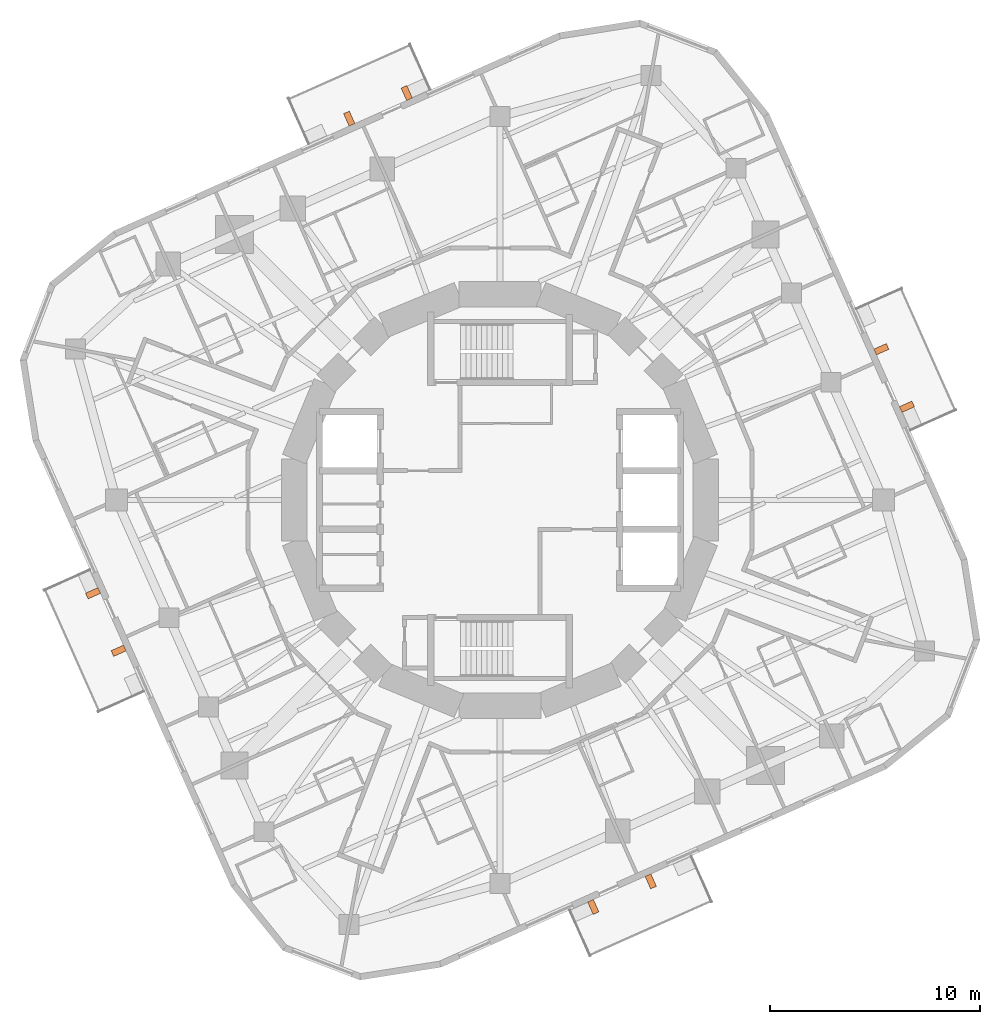
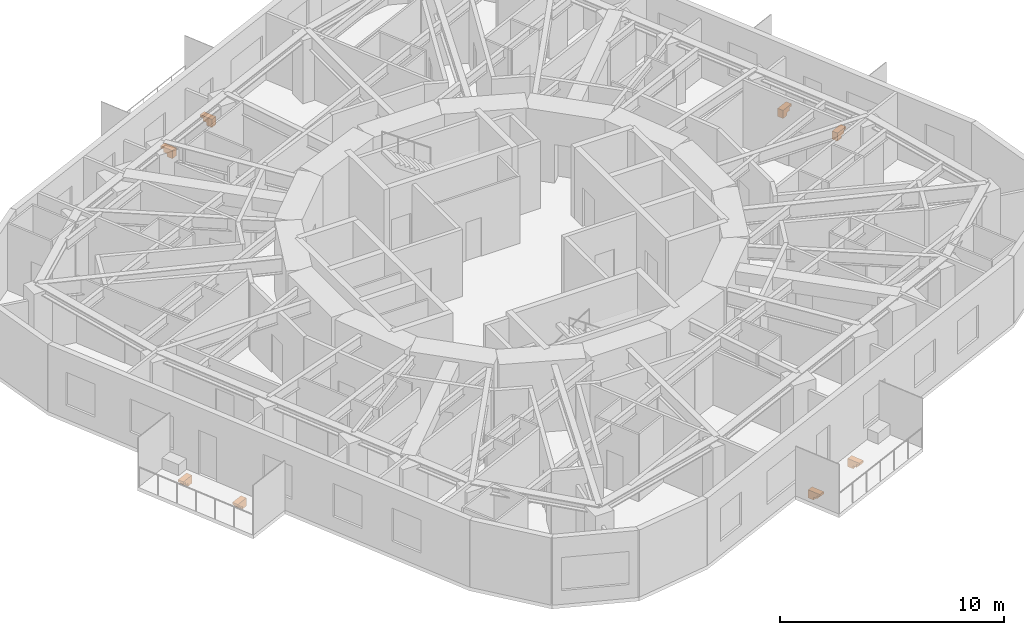
# One storey, part 12 of 12: 8 proxies.
"""IFC4 building model written with IfcOpenShell, lengths in metres."""

import ifcopenshell
import ifcopenshell.guid

model = None  # the IFC model being written
_history = None  # IfcOwnerHistory: only IFC2X3 demands one
_inside = {}  # id of a spatial element -> (the spatial element, [elements in it])
_under = {}  # id of a project, library or spatial element -> (it, [spatial elements below it])
_declared = {}  # id of a project -> (the project, [libraries it declares])
_typed = {}  # id of a type object -> (the type object, [elements of that type])
_made_of = {}  # id of a material, layer set ... -> (it, [elements and type objects made of it])


def new_model(schema):
    """Start an empty IFC model of exactly this schema.

    Asked for "IFC4X3", IfcOpenShell would pick the latest addendum, in which some entities
    have other attributes; the version numbers below select the first issue.
    IFC2X3 requires an IfcOwnerHistory on every rooted entity: one is made here for all.
    """
    global model, _history
    if schema == "IFC4X3":
        model = ifcopenshell.file(schema_version=(4, 3, 0, 0))
    else:
        model = ifcopenshell.file(schema=schema)
    _inside.clear()
    _under.clear()
    _declared.clear()
    _typed.clear()
    _made_of.clear()
    _history = None
    if model.schema == "IFC2X3":
        org = make("IfcOrganization", Name="unknown")
        user = make(
            "IfcPersonAndOrganization",
            ThePerson=make("IfcPerson", FamilyName="unknown"),
            TheOrganization=org,
        )
        app = make(
            "IfcApplication",
            ApplicationDeveloper=org,
            Version="unknown",
            ApplicationFullName="unknown",
            ApplicationIdentifier="unknown",
        )
        _history = make(
            "IfcOwnerHistory",
            OwningUser=user,
            OwningApplication=app,
            ChangeAction="ADDED",
            CreationDate=0,
        )
    return model


def make(cls, **values):
    """One entity of the class cls with the attributes given. An attribute that is None is left unset."""
    return model.create_entity(
        cls, **{name: value for name, value in values.items() if value is not None}
    )


def rooted(cls, **values):
    """An entity with a GlobalId (a new one), such as an element, a storey or a relation."""
    return make(cls, GlobalId=ifcopenshell.guid.new(), OwnerHistory=_history, **values)


def si_unit(unit_type, name, prefix=None):
    """IfcSIUnit, for example si_unit("LENGTHUNIT", "METRE", prefix="MILLI")."""
    return make("IfcSIUnit", UnitType=unit_type, Prefix=prefix, Name=name)


def assignment(units):
    """IfcUnitAssignment: the units of a project."""
    return None if units is None else make("IfcUnitAssignment", Units=units)


def point(xyz):
    """IfcCartesianPoint."""
    return None if xyz is None else make("IfcCartesianPoint", Coordinates=xyz)


def direction(xyz):
    """IfcDirection."""
    return None if xyz is None else make("IfcDirection", DirectionRatios=xyz)


def frame(location, z_axis=None, x_axis=None):
    """IfcAxis2Placement3D, a coordinate frame: its origin and axes. An axis left out is left unset."""
    return make(
        "IfcAxis2Placement3D",
        Location=point(location),
        Axis=direction(z_axis),
        RefDirection=direction(x_axis),
    )


def origin():
    """The frame at (0, 0, 0) with its axes left unset."""
    return frame((0.0, 0.0, 0.0))


def place(relative_to, where):
    """IfcLocalPlacement: puts the frame where relative to a parent placement (None: the world)."""
    return make(
        "IfcLocalPlacement", PlacementRelTo=relative_to, RelativePlacement=where
    )


def context(
    kind, dimensions, precision=None, world=None, true_north=None, identifier=None
):
    """IfcGeometricRepresentationContext, for example the 3D "Model" context."""
    return make(
        "IfcGeometricRepresentationContext",
        ContextIdentifier=identifier,
        ContextType=kind,
        CoordinateSpaceDimension=dimensions,
        Precision=precision,
        WorldCoordinateSystem=world,
        TrueNorth=true_north,
    )


def subcontext(parent, identifier, kind, view, scale=None):
    """IfcGeometricRepresentationSubContext, for example "Body" below "Model"."""
    return make(
        "IfcGeometricRepresentationSubContext",
        ContextIdentifier=identifier,
        ContextType=kind,
        ParentContext=parent,
        TargetScale=scale,
        TargetView=view,
    )


def project(units=None, contexts=None):
    """IfcProject with its units and contexts."""
    return rooted(
        "IfcProject",
        Name="project",
        RepresentationContexts=contexts,
        UnitsInContext=assignment(units),
    )


def spatial(cls, under=None, at=None, **own):
    """A site, building, storey or space (cls), placed at a placement, below another one or the project."""
    s = rooted(cls, ObjectPlacement=at, **own)
    if under is not None:
        _under.setdefault(under.id(), (under, []))[1].append(s)
    return s


def polyline(points):
    """IfcPolyline through the points."""
    return make("IfcPolyline", Points=[point(p) for p in points])


def outline(outer, holes=None, kind="AREA"):
    """IfcArbitraryClosedProfileDef: a profile drawn as a closed curve; with holes, ...WithVoids."""
    if holes is None:
        return make("IfcArbitraryClosedProfileDef", ProfileType=kind, OuterCurve=outer)
    return make(
        "IfcArbitraryProfileDefWithVoids",
        ProfileType=kind,
        OuterCurve=outer,
        InnerCurves=holes,
    )


def extrude(swept, where, along, depth):
    """IfcExtrudedAreaSolid: the profile swept, set in the frame where, extruded along a direction by depth."""
    return make(
        "IfcExtrudedAreaSolid",
        SweptArea=swept,
        Position=where,
        ExtrudedDirection=direction(along),
        Depth=depth,
    )


def shape(context_of_items, identifier, shape_type, items):
    """IfcShapeRepresentation: the items that make up one representation, for example the "Body"."""
    return make(
        "IfcShapeRepresentation",
        ContextOfItems=context_of_items,
        RepresentationIdentifier=identifier,
        RepresentationType=shape_type,
        Items=items,
    )


def material(Name=None, Category=None):
    """IfcMaterial."""
    return make("IfcMaterial", Name=Name, Category=Category)


def made_of(thing, what):
    """Note that an element or type object is made of a material, layer set ...; save() writes the relation."""
    if what is not None:
        _made_of.setdefault(what.id(), (what, []))[1].append(thing)
    return thing


def type_object(cls, material=None, **own):
    """A type object (cls), such as IfcWallType, which elements share."""
    return made_of(rooted(cls, **own), material)


def element(
    cls,
    number,
    at=None,
    inside=None,
    cuts=None,
    type_object=None,
    material=None,
    context=None,
    identifier="Body",
    shape_type=None,
    held_by="IfcProductDefinitionShape",
    body=None,
    shapes=None,
    **own,
):
    """One element of the class cls, such as IfcWall. Its Tag is "e" and its number.

    at: its placement. inside: the storey or other place that contains it. cuts: it is an
    opening in that element (IfcRelVoidsElement). A single representation is given by context,
    identifier, shape_type and body (its items); several are given by shapes. held_by: the class
    of the entity that holds the representations. save() writes the other relations.
    """
    e = rooted(cls, Tag="e%d" % number, ObjectPlacement=at, **own)
    if body is not None:
        shapes = [shape(context, identifier, shape_type, body)]
    if shapes is not None:
        e.Representation = make(held_by, Representations=shapes)
    if inside is not None:
        _inside.setdefault(inside.id(), (inside, []))[1].append(e)
    if cuts is not None:
        rooted(
            "IfcRelVoidsElement", RelatingBuildingElement=cuts, RelatedOpeningElement=e
        )
    if type_object is not None:
        _typed.setdefault(type_object.id(), (type_object, []))[1].append(e)
    return made_of(e, material)


def aggregate(whole, parts):
    """IfcRelAggregates: a whole, such as a stair, and the parts it consists of."""
    return rooted("IfcRelAggregates", RelatingObject=whole, RelatedObjects=parts)


def save(model, path):
    """Write the relations noted so far, then the file.

    IfcRelAggregates (storeys below a building ...), IfcRelContainedInSpatialStructure (elements
    in a storey), IfcRelDefinesByType, IfcRelAssociatesMaterial and IfcRelDeclares: one each for
    every whole, place, type object, material and project.
    """
    for whole, parts in _under.values():
        aggregate(whole, parts)
    for where, things in _inside.values():
        rooted(
            "IfcRelContainedInSpatialStructure",
            RelatedElements=things,
            RelatingStructure=where,
        )
    for kind, things in _typed.values():
        rooted("IfcRelDefinesByType", RelatedObjects=things, RelatingType=kind)
    for what, things in _made_of.values():
        rooted("IfcRelAssociatesMaterial", RelatedObjects=things, RelatingMaterial=what)
    for by, libraries in _declared.values():
        rooted("IfcRelDeclares", RelatingContext=by, RelatedDefinitions=libraries)
    model.write(path)


model = new_model("IFC4")

# Units and contexts
model_context = context("Model", 3, precision=1e-05, world=origin(), true_north=direction((0.0, 1.0)))
body_context = subcontext(model_context, "Body", "Model", "MODEL_VIEW")
ifc_project = project(units=[si_unit("LENGTHUNIT", "METRE"), si_unit("AREAUNIT", "SQUARE_METRE"), si_unit("VOLUMEUNIT", "CUBIC_METRE"), si_unit("PLANEANGLEUNIT", "RADIAN"), si_unit("MASSUNIT", "GRAM", prefix="KILO")], contexts=[model_context])

# Site, building, storey
site_placement = place(None, origin())
site = spatial("IfcSite", under=ifc_project, at=site_placement, CompositionType="ELEMENT")
building_placement = place(site_placement, origin())
building = spatial("IfcBuilding", under=site, at=building_placement, Name="Nakasero Lantern House", CompositionType="ELEMENT")
storey_placement = place(building_placement, frame((0.0, 0.0, 213.25)))
storey = spatial("IfcBuildingStorey", under=building, at=storey_placement, Name="L52", CompositionType="ELEMENT", Elevation=213.25)

# Proxies
ifc_material = material(Name="Concrete C40/50 precast", Category="concrete")
building_element_proxy_type = type_object("IfcBuildingElementProxyType", Name="Balcony bracket 300", PredefinedType="USERDEFINED", material=ifc_material)
for number, where, z_axis, x_axis, name in (
    (1, (19.097412109375, 4.311767578125, -0.199951171875), (0.0, 0.0, 1.0), (0.913545458, 0.406736643, 0.0), "Balcony bracket L52 0A"),
    (2, (17.877197265625, 7.052490234375, -0.199951171875), (0.0, 0.0, 1.0), (0.913545458, 0.406736643, 0.0), "Balcony bracket L52 0B"),
    (3, (-4.311767578125, 19.097412109375, -0.199951171875), (0.0, 0.0, 1.0), (-0.406736643, 0.913545458, 0.0), "Balcony bracket L52 1A"),
    (4, (-7.052490234375, 17.877197265625, -0.199951171875), (0.0, 0.0, 1.0), (-0.406736643, 0.913545458, 0.0), "Balcony bracket L52 1B"),
    (5, (-19.097412109375, -4.311767578125, -0.199951171875), (0.0, 0.0, 1.0), (-0.913545458, -0.406736643, 0.0), "Balcony bracket L52 2A"),
    (6, (-17.877197265625, -7.052490234375, -0.199951171875), (0.0, 0.0, 1.0), (-0.913545458, -0.406736643, 0.0), "Balcony bracket L52 2B"),
    (7, (4.311767578125, -19.097412109375, -0.199951171875), (0.0, 0.0, 1.0), (0.406736643, -0.913545458, 0.0), "Balcony bracket L52 3A"),
    (8, (7.052490234375, -17.877197265625, -0.199951171875), (0.0, 0.0, 1.0), (0.406736643, -0.913545458, 0.0), "Balcony bracket L52 3B"),
):
    element("IfcBuildingElementProxy", number, at=place(storey_placement, frame(where, z_axis=z_axis, x_axis=x_axis)), inside=storey, type_object=building_element_proxy_type, Name=name, ObjectType="BALCONY BRACKET", PredefinedType="USERDEFINED", context=body_context, shape_type="SweptSolid", body=[
        extrude(outline(polyline([(0.0, 0.0), (0.64990234375, 0.0), (0.64990234375, -0.1201171875), (0.5, -0.1201171875), (0.5, -0.280029296875), (0.300048828125, -0.280029296875), (0.300048828125, -0.43994140625), (0.0, -0.43994140625), (0.0, 0.0)])), frame((0.0, 0.14990234375, 0.0), z_axis=(0.0, -1.0, 0.0), x_axis=(1.0, 0.0, 0.0)), (0.0, 0.0, 1.0), 0.300048828125),
    ])

save(model, "model.ifc")
